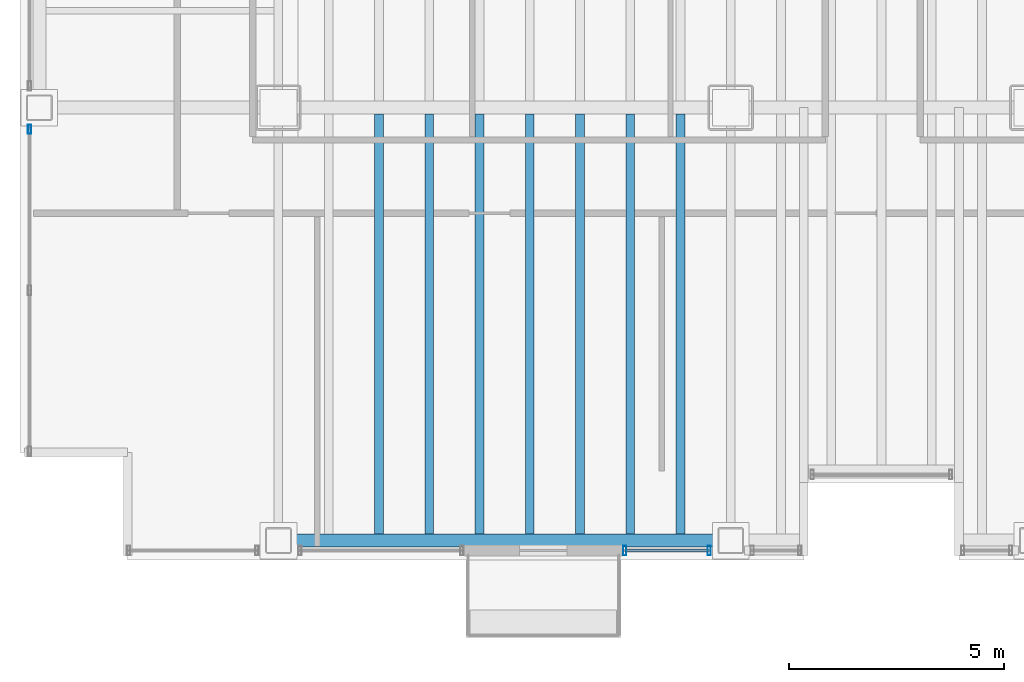
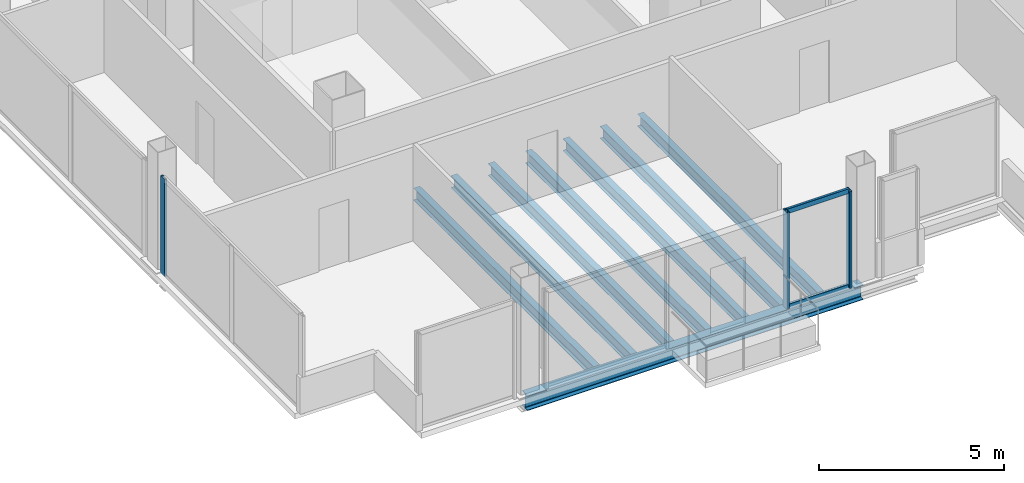
# One storey, part 3 of 21: 8 beams, 5 members, 2 elements without a shape of their own.
"""IFC4 building model written with IfcOpenShell, lengths in metres."""

from ifc_helpers import new_model, si_unit, direction, frame, origin, origin_2d, place, context, subcontext, project, spatial, hollow_rectangle, i_section, extrude, material, material_profile, profile_set, type_object, element, aggregate, save


model = new_model("IFC4")

# Units and contexts
model_context = context("Model", 3, precision=1e-05, world=origin(), true_north=direction((0.0, 1.0)))
body_context = subcontext(model_context, "Body", "Model", "MODEL_VIEW")
ifc_project = project(units=[si_unit("LENGTHUNIT", "METRE"), si_unit("AREAUNIT", "SQUARE_METRE"), si_unit("VOLUMEUNIT", "CUBIC_METRE"), si_unit("PLANEANGLEUNIT", "RADIAN"), si_unit("MASSUNIT", "GRAM", prefix="KILO")], contexts=[model_context])

# Site, building, storey
site_placement = place(None, origin())
site = spatial("IfcSite", under=ifc_project, at=site_placement, CompositionType="ELEMENT")
building_placement = place(site_placement, origin())
building = spatial("IfcBuilding", under=site, at=building_placement, Name="Noeulbin Bourse Tower", CompositionType="ELEMENT")
storey_placement = place(building_placement, frame((0.0, 0.0, 92.800048828125)))
storey = spatial("IfcBuildingStorey", under=building, at=storey_placement, Name="L23", CompositionType="ELEMENT", Elevation=92.800048828125)

# Beams
ifc_material_1 = material(Name="Steel S355", Category="steel")
ifc_material_profile_1 = material_profile(ifc_material_1, i_section(OverallWidth=0.199951171875, OverallDepth=0.39990234375, WebThickness=0.008056640625, FlangeThickness=0.012939453125, FilletRadius=0.01611328125, at=origin_2d()), Name="H-400x200x8x13", Category="LoadBearing")
ifc_profile_set_1 = profile_set([ifc_material_profile_1], Name="Steel S355")
beam_type_1 = type_object("IfcBeamType", Name="BM-SEC-400", PredefinedType="BEAM", material=ifc_profile_set_1)
for number, where, z_axis, x_axis, name in (
    (1, (15.833251953125, 10.10009765625, -0.380126953125), (0.0, 1.0, 0.0), (-1.0, 0.0, 0.0), "Tower Composite Joist L23-04"),
    (2, (17.0, 10.10009765625, -0.380126953125), (0.0, 1.0, 0.0), (-1.0, 0.0, 0.0), "Tower Composite Joist L23-07"),
    (3, (18.166748046875, 10.10009765625, -0.380126953125), (0.0, 1.0, 0.0), (-1.0, 0.0, 0.0), "Tower Composite Joist L23-10"),
    (4, (19.333251953125, 10.10009765625, -0.380126953125), (0.0, 1.0, 0.0), (-1.0, 0.0, 0.0), "Tower Composite Joist L23-13"),
    (5, (20.5, 10.10009765625, -0.380126953125), (0.0, 1.0, 0.0), (-1.0, 0.0, 0.0), "Tower Composite Joist L23-16"),
    (6, (21.666748046875, 10.10009765625, -0.380126953125), (0.0, 1.0, 0.0), (-1.0, 0.0, 0.0), "Tower Composite Joist L23-19"),
    (7, (22.833251953125, 10.10009765625, -0.380126953125), (0.0, 1.0, 0.0), (-1.0, 0.0, 0.0), "Tower Composite Joist L23-22"),
):
    element("IfcBeam", number, at=place(storey_placement, frame(where, z_axis=z_axis, x_axis=x_axis)), inside=storey, type_object=beam_type_1, Name=name, PredefinedType="BEAM", context=body_context, shape_type="SweptSolid", body=[
        extrude(i_section(OverallWidth=0.199951171875, OverallDepth=0.39990234375, WebThickness=0.008056640625, FlangeThickness=0.012939453125, FilletRadius=0.01611328125, at=origin_2d()), origin(), (0.0, 0.0, 1.0), 9.75),
    ])
ifc_material_profile_2 = material_profile(ifc_material_1, i_section(OverallWidth=0.300048828125, OverallDepth=0.488037109375, WebThickness=0.010986328125, FlangeThickness=0.01806640625, FilletRadius=0.02197265625, at=origin_2d()), Name="H-488x300x11x18", Category="LoadBearing")
ifc_profile_set_2 = profile_set([ifc_material_profile_2], Name="Steel S355")
beam_type_2 = type_object("IfcBeamType", Name="BM-SPN-488", PredefinedType="SPANDREL", material=ifc_profile_set_2)
beam_placement = place(storey_placement, frame((13.5, 9.949951171875, -0.424072265625), z_axis=(1.0, 0.0, 0.0), x_axis=(0.0, 1.0, 0.0)))
element("IfcBeam", 8, at=beam_placement, inside=storey, type_object=beam_type_2, Name="South Spandrel L23-1", PredefinedType="SPANDREL", context=body_context, shape_type="SweptSolid", body=[
    extrude(i_section(OverallWidth=0.300048828125, OverallDepth=0.488037109375, WebThickness=0.010986328125, FlangeThickness=0.01806640625, FilletRadius=0.02197265625, at=origin_2d()), origin(), (0.0, 0.0, 1.0), 10.5),
])

# Curtain wall, members
ifc_material_2 = material(Name="Dark Solar-Control Double Glazing", Category="glass")
curtain_wall_type = type_object("IfcCurtainWallType", Name="CW-SYS-2", PredefinedType="NOTDEFINED", material=ifc_material_2)
curtain_wall_1_placement = place(storey_placement, origin())
curtain_wall_1 = element("IfcCurtainWall", 9, at=curtain_wall_1_placement, inside=storey, type_object=curtain_wall_type, Name="Unitised Curtain Wall CW-L23-S2-S1", PredefinedType="NOTDEFINED")
ifc_material_3 = material(Name="Anodised Aluminium 6063-T6", Category="aluminium")
ifc_material_profile_3 = material_profile(ifc_material_3, hollow_rectangle(XDim=0.074951171875, YDim=0.219970703125, WallThickness=0.0048828125, InnerFilletRadius=0.00244140625, OuterFilletRadius=0.0048828125, at=origin_2d()), Name="ALU-MULL-75x220x5", Category="LoadBearing")
ifc_profile_set_3 = profile_set([ifc_material_profile_3], Name="Anodised Aluminium 6063-T6")
member_type_1 = type_object("IfcMemberType", Name="CW-SYS-2-MUL", PredefinedType="MULLION", material=ifc_profile_set_3)
member_1_placement = place(storey_placement, frame((21.5400390625, 9.719970703125, -0.02001953125), z_axis=(0.0, 0.0, 1.0), x_axis=(1.0, 0.0, 0.0)))
member_1 = element("IfcMember", 10, at=member_1_placement, type_object=member_type_1, Name="Curtain Wall Mullion CW-L23-S2-S1-M00", PredefinedType="MULLION", context=body_context, shape_type="SweptSolid", body=[
    extrude(hollow_rectangle(XDim=0.074951171875, YDim=0.219970703125, WallThickness=0.0048828125, InnerFilletRadius=0.00244140625, OuterFilletRadius=0.0048828125, at=origin_2d()), origin(), (0.0, 0.0, 1.0), 3.219970703125),
])
member_2_placement = place(storey_placement, frame((23.5, 9.719970703125, -0.02001953125), z_axis=(0.0, 0.0, 1.0), x_axis=(1.0, 0.0, 0.0)))
member_2 = element("IfcMember", 11, at=member_2_placement, type_object=member_type_1, Name="Curtain Wall Mullion CW-L23-S2-S1-M01", PredefinedType="MULLION", context=body_context, shape_type="SweptSolid", body=[
    extrude(hollow_rectangle(XDim=0.074951171875, YDim=0.219970703125, WallThickness=0.0048828125, InnerFilletRadius=0.00244140625, OuterFilletRadius=0.0048828125, at=origin_2d()), origin(), (0.0, 0.0, 1.0), 3.219970703125),
])

# Curtain wall, member
curtain_wall_2_placement = place(storey_placement, origin())
curtain_wall_2 = element("IfcCurtainWall", 12, at=curtain_wall_2_placement, inside=storey, type_object=curtain_wall_type, Name="Unitised Curtain Wall CW-L23-W-S1", PredefinedType="NOTDEFINED")
member_3_placement = place(storey_placement, frame((7.719970703125, 19.5, -0.02001953125), z_axis=(0.0, 0.0, 1.0), x_axis=(1.0, 0.0, 0.0)))
member_3 = element("IfcMember", 13, at=member_3_placement, type_object=member_type_1, Name="Curtain Wall Mullion CW-L23-W-S1-M02", PredefinedType="MULLION", context=body_context, shape_type="SweptSolid", body=[
    extrude(hollow_rectangle(XDim=0.074951171875, YDim=0.219970703125, WallThickness=0.0048828125, InnerFilletRadius=0.00244140625, OuterFilletRadius=0.0048828125, at=origin_2d()), origin(), (0.0, 0.0, 1.0), 3.219970703125),
])
aggregate(curtain_wall_2, [member_3])

# Member
ifc_material_profile_4 = material_profile(ifc_material_3, hollow_rectangle(XDim=0.074951171875, YDim=0.159912109375, WallThickness=0.0048828125, InnerFilletRadius=0.00244140625, OuterFilletRadius=0.0048828125, at=origin_2d()), Name="ALU-TRAN-75x160x5", Category="LoadBearing")
ifc_profile_set_4 = profile_set([ifc_material_profile_4], Name="Anodised Aluminium 6063-T6")
member_type_2 = type_object("IfcMemberType", Name="CW-SYS-2-TRN", PredefinedType="USERDEFINED", material=ifc_profile_set_4)
member_4_placement = place(storey_placement, frame((21.550048828125, 9.719970703125, 0.010009765625), z_axis=(1.0, 0.0, 0.0), x_axis=(0.0, 1.0, 0.0)))
member_4 = element("IfcMember", 14, at=member_4_placement, type_object=member_type_2, Name="Curtain Wall Transom CW-L23-S2-S1-T00", ObjectType="TRANSOM", PredefinedType="USERDEFINED", context=body_context, shape_type="SweptSolid", body=[
    extrude(hollow_rectangle(XDim=0.074951171875, YDim=0.159912109375, WallThickness=0.0048828125, InnerFilletRadius=0.00244140625, OuterFilletRadius=0.0048828125, at=origin_2d()), origin(), (0.0, 0.0, 1.0), 1.93994140625),
])

member_5_placement = place(storey_placement, frame((21.550048828125, 9.719970703125, 3.169921875), z_axis=(1.0, 0.0, 0.0), x_axis=(0.0, 1.0, 0.0)))
member_5 = element("IfcMember", 15, at=member_5_placement, type_object=member_type_2, Name="Curtain Wall Transom CW-L23-S2-S1-T01", ObjectType="TRANSOM", PredefinedType="USERDEFINED", context=body_context, shape_type="SweptSolid", body=[
    extrude(hollow_rectangle(XDim=0.074951171875, YDim=0.159912109375, WallThickness=0.0048828125, InnerFilletRadius=0.00244140625, OuterFilletRadius=0.0048828125, at=origin_2d()), origin(), (0.0, 0.0, 1.0), 1.93994140625),
])

aggregate(curtain_wall_1, [member_1, member_2, member_4, member_5])

save(model, "model.ifc")
